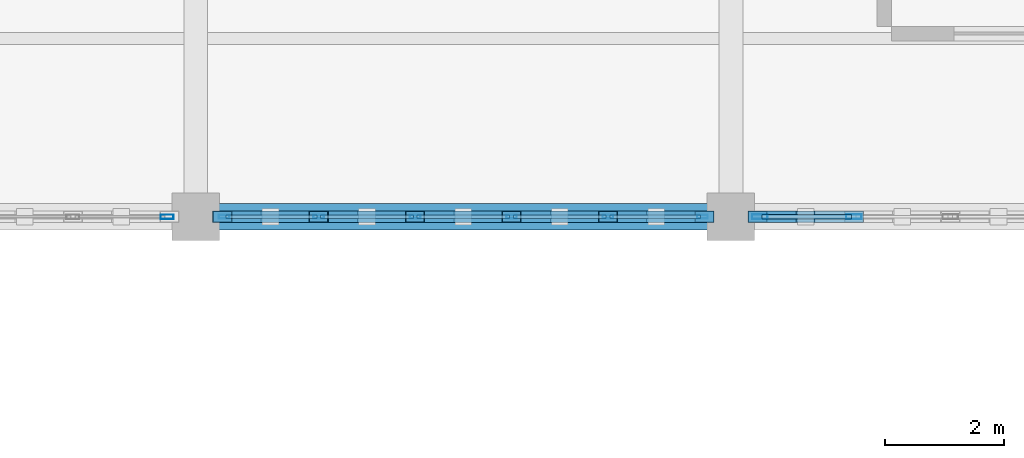
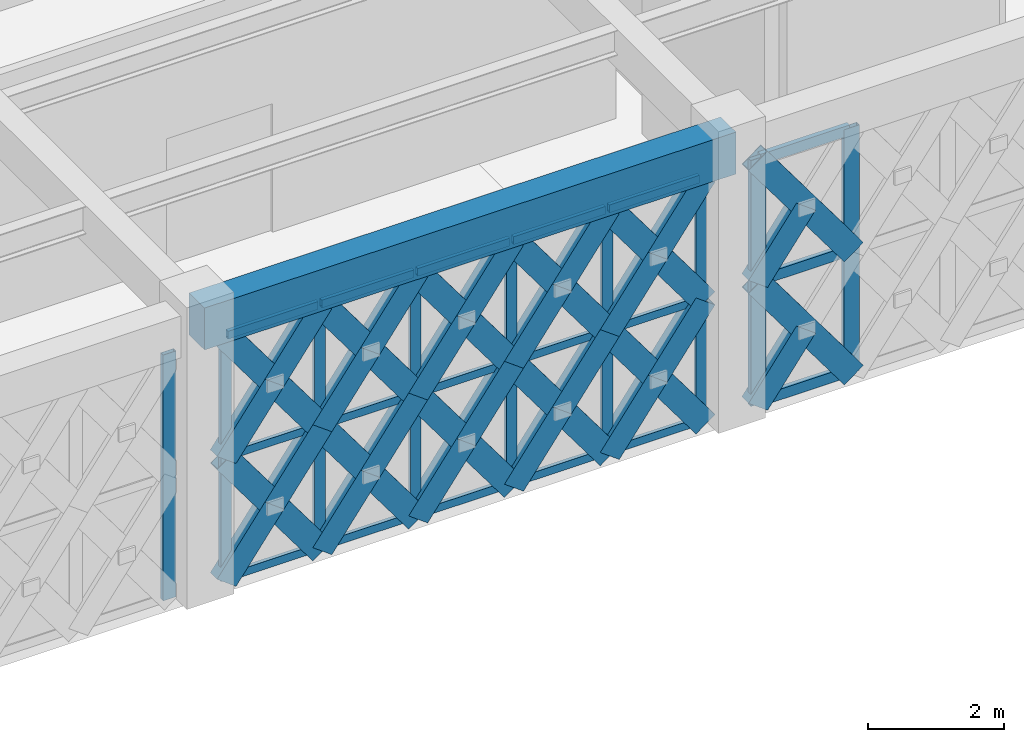
# One storey, part 35 of 86: 61 members, 1 beam, 3 elements without a shape of their own.
"""IFC4 building model written with IfcOpenShell, lengths in metres."""

from ifc_helpers import new_model, si_unit, direction, frame, origin, origin_2d, place, context, subcontext, project, spatial, rectangle, hollow_rectangle, extrude, material, material_profile, profile_set, type_object, element, aggregate, save


model = new_model("IFC4")

# Units and contexts
model_context = context("Model", 3, precision=1e-05, world=origin(), true_north=direction((0.0, 1.0)))
body_context = subcontext(model_context, "Body", "Model", "MODEL_VIEW")
ifc_project = project(units=[si_unit("LENGTHUNIT", "METRE"), si_unit("AREAUNIT", "SQUARE_METRE"), si_unit("VOLUMEUNIT", "CUBIC_METRE"), si_unit("PLANEANGLEUNIT", "RADIAN"), si_unit("MASSUNIT", "GRAM", prefix="KILO")], contexts=[model_context])

# Site, building, storey
site_placement = place(None, origin())
site = spatial("IfcSite", under=ifc_project, at=site_placement, CompositionType="ELEMENT")
building_placement = place(site_placement, origin())
building = spatial("IfcBuilding", under=site, at=building_placement, Name="Haizhuo Lancet Aquarium", CompositionType="ELEMENT")
storey_placement = place(building_placement, frame((0.0, 0.0, 16.199951171875)))
storey = spatial("IfcBuildingStorey", under=building, at=storey_placement, Name="L03", CompositionType="ELEMENT", Elevation=16.199951171875)

# Beam
ifc_material_1 = material(Name="Concrete C40/50", Category="concrete")
ifc_material_profile_1 = material_profile(ifc_material_1, rectangle(XDim=0.449951171875, YDim=0.75, at=origin_2d()), Name="RC-BM 450x750")
ifc_profile_set_1 = profile_set([ifc_material_profile_1], Name="Concrete C40/50")
beam_type = type_object("IfcBeamType", Name="BM-RC-450x750", PredefinedType="BEAM", material=ifc_profile_set_1)
beam_placement = place(storey_placement, frame((-18.0, 36.0, 4.775146484375), z_axis=(1.0, 0.0, 0.0), x_axis=(0.0, 1.0, 0.0)))
element("IfcBeam", 1, at=beam_placement, inside=storey, type_object=beam_type, Name="L03 V5 primary girder BM-L03-V5-004", PredefinedType="BEAM", context=body_context, shape_type="SweptSolid", body=[
    extrude(rectangle(XDim=0.449951171875, YDim=0.75, at=origin_2d()), origin(), (0.0, 0.0, 1.0), 9.0),
])

# Curtain wall, members
ifc_material_2 = material(Name="Aluminium 6063-T6", Category="aluminium")
curtain_wall_type = type_object("IfcCurtainWallType", Name="CWD-8110x4400", PredefinedType="NOTDEFINED", material=ifc_material_2)
curtain_wall_1_placement = place(storey_placement, origin())
curtain_wall_1 = element("IfcCurtainWall", 2, at=curtain_wall_1_placement, inside=storey, type_object=curtain_wall_type, Name="L03 curtain wall CW-V5-L03-172", PredefinedType="NOTDEFINED")
ifc_material_profile_2 = material_profile(ifc_material_2, hollow_rectangle(XDim=0.06494140625, YDim=0.179931640625, WallThickness=0.00390625, at=origin_2d()), Name="ALU-M 65x180x4")
ifc_profile_set_2 = profile_set([ifc_material_profile_2], Name="Aluminium 6063-T6")
member_type_1 = type_object("IfcMemberType", Name="CW-MUL-1", PredefinedType="MULLION", material=ifc_profile_set_2)
member_1_placement = place(storey_placement, frame((-9.47802734375, 36.0, 0.0), z_axis=(0.0, 0.0, 1.0), x_axis=(0.0, -1.0, 0.0)))
member_1 = element("IfcMember", 3, at=member_1_placement, type_object=member_type_1, Name="CWD-81x44 mullion 1", PredefinedType="MULLION", context=body_context, shape_type="SweptSolid", body=[
    extrude(hollow_rectangle(XDim=0.06494140625, YDim=0.179931640625, WallThickness=0.00390625, at=origin_2d()), origin(), (0.0, 0.0, 1.0), 4.400146484375),
])
member_2_placement = place(storey_placement, frame((-11.06689453125, 36.0, 0.0), z_axis=(0.0, 0.0, 1.0), x_axis=(0.0, -1.0, 0.0)))
member_2 = element("IfcMember", 4, at=member_2_placement, type_object=member_type_1, Name="CWD-81x44 mullion 2", PredefinedType="MULLION", context=body_context, shape_type="SweptSolid", body=[
    extrude(hollow_rectangle(XDim=0.06494140625, YDim=0.179931640625, WallThickness=0.00390625, at=origin_2d()), origin(), (0.0, 0.0, 1.0), 4.400146484375),
])
member_3_placement = place(storey_placement, frame((-12.68896484375, 36.0, 0.0), z_axis=(0.0, 0.0, 1.0), x_axis=(0.0, -1.0, 0.0)))
member_3 = element("IfcMember", 5, at=member_3_placement, type_object=member_type_1, Name="CWD-81x44 mullion 3", PredefinedType="MULLION", context=body_context, shape_type="SweptSolid", body=[
    extrude(hollow_rectangle(XDim=0.06494140625, YDim=0.179931640625, WallThickness=0.00390625, at=origin_2d()), origin(), (0.0, 0.0, 1.0), 4.400146484375),
])
member_4_placement = place(storey_placement, frame((-14.31103515625, 36.0, 0.0), z_axis=(0.0, 0.0, 1.0), x_axis=(0.0, -1.0, 0.0)))
member_4 = element("IfcMember", 6, at=member_4_placement, type_object=member_type_1, Name="CWD-81x44 mullion 4", PredefinedType="MULLION", context=body_context, shape_type="SweptSolid", body=[
    extrude(hollow_rectangle(XDim=0.06494140625, YDim=0.179931640625, WallThickness=0.00390625, at=origin_2d()), origin(), (0.0, 0.0, 1.0), 4.400146484375),
])
member_5_placement = place(storey_placement, frame((-15.93310546875, 36.0, 0.0), z_axis=(0.0, 0.0, 1.0), x_axis=(0.0, -1.0, 0.0)))
member_5 = element("IfcMember", 7, at=member_5_placement, type_object=member_type_1, Name="CWD-81x44 mullion 5", PredefinedType="MULLION", context=body_context, shape_type="SweptSolid", body=[
    extrude(hollow_rectangle(XDim=0.06494140625, YDim=0.179931640625, WallThickness=0.00390625, at=origin_2d()), origin(), (0.0, 0.0, 1.0), 4.400146484375),
])
member_6_placement = place(storey_placement, frame((-17.52294921875, 36.0, 0.0), z_axis=(0.0, 0.0, 1.0), x_axis=(0.0, -1.0, 0.0)))
member_6 = element("IfcMember", 8, at=member_6_placement, type_object=member_type_1, Name="CWD-81x44 mullion 6", PredefinedType="MULLION", context=body_context, shape_type="SweptSolid", body=[
    extrude(hollow_rectangle(XDim=0.06494140625, YDim=0.179931640625, WallThickness=0.00390625, at=origin_2d()), origin(), (0.0, 0.0, 1.0), 4.400146484375),
])

# Curtain wall, member
curtain_wall_2_placement = place(storey_placement, origin())
curtain_wall_2 = element("IfcCurtainWall", 9, at=curtain_wall_2_placement, inside=storey, type_object=curtain_wall_type, Name="L03 curtain wall CW-V5-L03-173", PredefinedType="NOTDEFINED")
ifc_material_profile_3 = material_profile(ifc_material_2, hollow_rectangle(XDim=0.074951171875, YDim=0.219970703125, WallThickness=0.0048828125, at=origin_2d()), Name="ALU-M 75x220x5")
ifc_profile_set_3 = profile_set([ifc_material_profile_3], Name="Aluminium 6063-T6")
member_type_2 = type_object("IfcMemberType", Name="CW-MUL-2", PredefinedType="MULLION", material=ifc_profile_set_3)
member_7_placement = place(storey_placement, frame((-18.48291015625, 36.0, 0.0), z_axis=(0.0, 0.0, 1.0), x_axis=(0.0, -1.0, 0.0)))
member_7 = element("IfcMember", 10, at=member_7_placement, type_object=member_type_2, Name="CWD-81x44 mullion 1", PredefinedType="MULLION", context=body_context, shape_type="SweptSolid", body=[
    extrude(hollow_rectangle(XDim=0.074951171875, YDim=0.219970703125, WallThickness=0.0048828125, at=origin_2d()), origin(), (0.0, 0.0, 1.0), 4.400146484375),
])
aggregate(curtain_wall_2, [member_7])

# Curtain wall, members
curtain_wall_3_placement = place(storey_placement, origin())
curtain_wall_3 = element("IfcCurtainWall", 11, at=curtain_wall_3_placement, inside=storey, type_object=curtain_wall_type, Name="L03 curtain wall CW-V5-L03-171", PredefinedType="NOTDEFINED")
ifc_material_profile_4 = material_profile(ifc_material_2, hollow_rectangle(XDim=0.080078125, YDim=0.260009765625, WallThickness=0.0048828125, at=origin_2d()), Name="ALU-M 80x260x5")
ifc_profile_set_4 = profile_set([ifc_material_profile_4], Name="Aluminium 6063-T6")
member_type_3 = type_object("IfcMemberType", Name="CW-MUL-3", PredefinedType="MULLION", material=ifc_profile_set_4)
member_8_placement = place(storey_placement, frame((-6.93310546875, 36.0, 0.0), z_axis=(0.0, 0.0, 1.0), x_axis=(0.0, -1.0, 0.0)))
member_8 = element("IfcMember", 12, at=member_8_placement, type_object=member_type_3, Name="CWD-81x44 mullion 5", PredefinedType="MULLION", context=body_context, shape_type="SweptSolid", body=[
    extrude(hollow_rectangle(XDim=0.080078125, YDim=0.260009765625, WallThickness=0.0048828125, at=origin_2d()), origin(), (0.0, 0.0, 1.0), 4.400146484375),
])
member_9_placement = place(storey_placement, frame((-8.514892578125, 36.0, 0.0), z_axis=(0.0, 0.0, 1.0), x_axis=(0.0, -1.0, 0.0)))
member_9 = element("IfcMember", 13, at=member_9_placement, type_object=member_type_3, Name="CWD-81x44 mullion 6", PredefinedType="MULLION", context=body_context, shape_type="SweptSolid", body=[
    extrude(hollow_rectangle(XDim=0.080078125, YDim=0.260009765625, WallThickness=0.0048828125, at=origin_2d()), origin(), (0.0, 0.0, 1.0), 4.400146484375),
])

# Member
ifc_material_profile_5 = material_profile(ifc_material_2, hollow_rectangle(XDim=0.06494140625, YDim=0.139892578125, WallThickness=0.00390625, at=origin_2d()), Name="ALU-T 65x140x4")
ifc_profile_set_5 = profile_set([ifc_material_profile_5], Name="Aluminium 6063-T6")
member_type_4 = type_object("IfcMemberType", Name="CW-TRN-1", PredefinedType="NOTDEFINED", material=ifc_profile_set_5)
member_10_placement = place(storey_placement, frame((-9.510009765625, 36.0, 0.031982421875), z_axis=(-1.0, 0.0, 0.0), x_axis=(0.0, -1.0, 0.0)))
member_10 = element("IfcMember", 14, at=member_10_placement, type_object=member_type_4, Name="CWD-81x44 transom 1.1", ObjectType="TRANSOM", PredefinedType="USERDEFINED", context=body_context, shape_type="SweptSolid", body=[
    extrude(hollow_rectangle(XDim=0.06494140625, YDim=0.139892578125, WallThickness=0.00390625, at=origin_2d()), origin(), (0.0, 0.0, 1.0), 1.52392578125),
])

member_11_placement = place(storey_placement, frame((-9.510009765625, 36.0, 2.199951171875), z_axis=(-1.0, 0.0, 0.0), x_axis=(0.0, -1.0, 0.0)))
member_11 = element("IfcMember", 15, at=member_11_placement, type_object=member_type_4, Name="CWD-81x44 transom 1.2", ObjectType="TRANSOM", PredefinedType="USERDEFINED", context=body_context, shape_type="SweptSolid", body=[
    extrude(hollow_rectangle(XDim=0.06494140625, YDim=0.139892578125, WallThickness=0.00390625, at=origin_2d()), origin(), (0.0, 0.0, 1.0), 1.52392578125),
])

member_12_placement = place(storey_placement, frame((-9.510009765625, 36.0, 4.3681640625), z_axis=(-1.0, 0.0, 0.0), x_axis=(0.0, -1.0, 0.0)))
member_12 = element("IfcMember", 16, at=member_12_placement, type_object=member_type_4, Name="CWD-81x44 transom 1.3", ObjectType="TRANSOM", PredefinedType="USERDEFINED", context=body_context, shape_type="SweptSolid", body=[
    extrude(hollow_rectangle(XDim=0.06494140625, YDim=0.139892578125, WallThickness=0.00390625, at=origin_2d()), origin(), (0.0, 0.0, 1.0), 1.52392578125),
])

member_13_placement = place(storey_placement, frame((-11.10009765625, 36.0, 0.031982421875), z_axis=(-1.0, 0.0, 0.0), x_axis=(0.0, -1.0, 0.0)))
member_13 = element("IfcMember", 17, at=member_13_placement, type_object=member_type_4, Name="CWD-81x44 transom 2.1", ObjectType="TRANSOM", PredefinedType="USERDEFINED", context=body_context, shape_type="SweptSolid", body=[
    extrude(hollow_rectangle(XDim=0.06494140625, YDim=0.139892578125, WallThickness=0.00390625, at=origin_2d()), origin(), (0.0, 0.0, 1.0), 1.555908203125),
])

member_14_placement = place(storey_placement, frame((-11.10009765625, 36.0, 2.199951171875), z_axis=(-1.0, 0.0, 0.0), x_axis=(0.0, -1.0, 0.0)))
member_14 = element("IfcMember", 18, at=member_14_placement, type_object=member_type_4, Name="CWD-81x44 transom 2.2", ObjectType="TRANSOM", PredefinedType="USERDEFINED", context=body_context, shape_type="SweptSolid", body=[
    extrude(hollow_rectangle(XDim=0.06494140625, YDim=0.139892578125, WallThickness=0.00390625, at=origin_2d()), origin(), (0.0, 0.0, 1.0), 1.555908203125),
])

member_15_placement = place(storey_placement, frame((-11.10009765625, 36.0, 4.3681640625), z_axis=(-1.0, 0.0, 0.0), x_axis=(0.0, -1.0, 0.0)))
member_15 = element("IfcMember", 19, at=member_15_placement, type_object=member_type_4, Name="CWD-81x44 transom 2.3", ObjectType="TRANSOM", PredefinedType="USERDEFINED", context=body_context, shape_type="SweptSolid", body=[
    extrude(hollow_rectangle(XDim=0.06494140625, YDim=0.139892578125, WallThickness=0.00390625, at=origin_2d()), origin(), (0.0, 0.0, 1.0), 1.555908203125),
])

member_16_placement = place(storey_placement, frame((-12.721923828125, 36.0, 0.031982421875), z_axis=(-1.0, 0.0, 0.0), x_axis=(0.0, -1.0, 0.0)))
member_16 = element("IfcMember", 20, at=member_16_placement, type_object=member_type_4, Name="CWD-81x44 transom 3.1", ObjectType="TRANSOM", PredefinedType="USERDEFINED", context=body_context, shape_type="SweptSolid", body=[
    extrude(hollow_rectangle(XDim=0.06494140625, YDim=0.139892578125, WallThickness=0.00390625, at=origin_2d()), origin(), (0.0, 0.0, 1.0), 1.55712890625),
])

member_17_placement = place(storey_placement, frame((-12.721923828125, 36.0, 2.199951171875), z_axis=(-1.0, 0.0, 0.0), x_axis=(0.0, -1.0, 0.0)))
member_17 = element("IfcMember", 21, at=member_17_placement, type_object=member_type_4, Name="CWD-81x44 transom 3.2", ObjectType="TRANSOM", PredefinedType="USERDEFINED", context=body_context, shape_type="SweptSolid", body=[
    extrude(hollow_rectangle(XDim=0.06494140625, YDim=0.139892578125, WallThickness=0.00390625, at=origin_2d()), origin(), (0.0, 0.0, 1.0), 1.55712890625),
])

member_18_placement = place(storey_placement, frame((-12.721923828125, 36.0, 4.3681640625), z_axis=(-1.0, 0.0, 0.0), x_axis=(0.0, -1.0, 0.0)))
member_18 = element("IfcMember", 22, at=member_18_placement, type_object=member_type_4, Name="CWD-81x44 transom 3.3", ObjectType="TRANSOM", PredefinedType="USERDEFINED", context=body_context, shape_type="SweptSolid", body=[
    extrude(hollow_rectangle(XDim=0.06494140625, YDim=0.139892578125, WallThickness=0.00390625, at=origin_2d()), origin(), (0.0, 0.0, 1.0), 1.55712890625),
])

member_19_placement = place(storey_placement, frame((-14.343017578125, 36.0, 0.031982421875), z_axis=(-1.0, 0.0, 0.0), x_axis=(0.0, -1.0, 0.0)))
member_19 = element("IfcMember", 23, at=member_19_placement, type_object=member_type_4, Name="CWD-81x44 transom 4.1", ObjectType="TRANSOM", PredefinedType="USERDEFINED", context=body_context, shape_type="SweptSolid", body=[
    extrude(hollow_rectangle(XDim=0.06494140625, YDim=0.139892578125, WallThickness=0.00390625, at=origin_2d()), origin(), (0.0, 0.0, 1.0), 1.557861328125),
])

member_20_placement = place(storey_placement, frame((-14.343017578125, 36.0, 2.199951171875), z_axis=(-1.0, 0.0, 0.0), x_axis=(0.0, -1.0, 0.0)))
member_20 = element("IfcMember", 24, at=member_20_placement, type_object=member_type_4, Name="CWD-81x44 transom 4.2", ObjectType="TRANSOM", PredefinedType="USERDEFINED", context=body_context, shape_type="SweptSolid", body=[
    extrude(hollow_rectangle(XDim=0.06494140625, YDim=0.139892578125, WallThickness=0.00390625, at=origin_2d()), origin(), (0.0, 0.0, 1.0), 1.557861328125),
])

member_21_placement = place(storey_placement, frame((-14.343017578125, 36.0, 4.3681640625), z_axis=(-1.0, 0.0, 0.0), x_axis=(0.0, -1.0, 0.0)))
member_21 = element("IfcMember", 25, at=member_21_placement, type_object=member_type_4, Name="CWD-81x44 transom 4.3", ObjectType="TRANSOM", PredefinedType="USERDEFINED", context=body_context, shape_type="SweptSolid", body=[
    extrude(hollow_rectangle(XDim=0.06494140625, YDim=0.139892578125, WallThickness=0.00390625, at=origin_2d()), origin(), (0.0, 0.0, 1.0), 1.557861328125),
])

member_22_placement = place(storey_placement, frame((-15.965087890625, 36.0, 0.031982421875), z_axis=(-1.0, 0.0, 0.0), x_axis=(0.0, -1.0, 0.0)))
member_22 = element("IfcMember", 26, at=member_22_placement, type_object=member_type_4, Name="CWD-81x44 transom 5.1", ObjectType="TRANSOM", PredefinedType="USERDEFINED", context=body_context, shape_type="SweptSolid", body=[
    extrude(hollow_rectangle(XDim=0.06494140625, YDim=0.139892578125, WallThickness=0.00390625, at=origin_2d()), origin(), (0.0, 0.0, 1.0), 1.52490234375),
])

member_23_placement = place(storey_placement, frame((-15.965087890625, 36.0, 2.199951171875), z_axis=(-1.0, 0.0, 0.0), x_axis=(0.0, -1.0, 0.0)))
member_23 = element("IfcMember", 27, at=member_23_placement, type_object=member_type_4, Name="CWD-81x44 transom 5.2", ObjectType="TRANSOM", PredefinedType="USERDEFINED", context=body_context, shape_type="SweptSolid", body=[
    extrude(hollow_rectangle(XDim=0.06494140625, YDim=0.139892578125, WallThickness=0.00390625, at=origin_2d()), origin(), (0.0, 0.0, 1.0), 1.52490234375),
])

member_24_placement = place(storey_placement, frame((-15.965087890625, 36.0, 4.3681640625), z_axis=(-1.0, 0.0, 0.0), x_axis=(0.0, -1.0, 0.0)))
member_24 = element("IfcMember", 28, at=member_24_placement, type_object=member_type_4, Name="CWD-81x44 transom 5.3", ObjectType="TRANSOM", PredefinedType="USERDEFINED", context=body_context, shape_type="SweptSolid", body=[
    extrude(hollow_rectangle(XDim=0.06494140625, YDim=0.139892578125, WallThickness=0.00390625, at=origin_2d()), origin(), (0.0, 0.0, 1.0), 1.52490234375),
])

aggregate(curtain_wall_1, [member_1, member_2, member_3, member_4, member_5, member_6, member_10, member_11, member_12, member_13, member_14, member_15, member_16, member_17, member_18, member_19, member_20, member_21, member_22, member_23, member_24])

ifc_material_profile_6 = material_profile(ifc_material_2, hollow_rectangle(XDim=0.080078125, YDim=0.18994140625, WallThickness=0.0048828125, at=origin_2d()), Name="ALU-T 80x190x5")
ifc_profile_set_6 = profile_set([ifc_material_profile_6], Name="Aluminium 6063-T6")
member_type_5 = type_object("IfcMemberType", Name="CW-TRN-3", PredefinedType="NOTDEFINED", material=ifc_profile_set_6)
member_25_placement = place(storey_placement, frame((-6.972900390625, 36.0, 0.0400390625), z_axis=(-1.0, 0.0, 0.0), x_axis=(0.0, -1.0, 0.0)))
member_25 = element("IfcMember", 29, at=member_25_placement, type_object=member_type_5, Name="CWD-81x44 transom 5.1", ObjectType="TRANSOM", PredefinedType="USERDEFINED", context=body_context, shape_type="SweptSolid", body=[
    extrude(hollow_rectangle(XDim=0.080078125, YDim=0.18994140625, WallThickness=0.0048828125, at=origin_2d()), origin(), (0.0, 0.0, 1.0), 1.502197265625),
])

member_26_placement = place(storey_placement, frame((-6.972900390625, 36.0, 2.199951171875), z_axis=(-1.0, 0.0, 0.0), x_axis=(0.0, -1.0, 0.0)))
member_26 = element("IfcMember", 30, at=member_26_placement, type_object=member_type_5, Name="CWD-81x44 transom 5.2", ObjectType="TRANSOM", PredefinedType="USERDEFINED", context=body_context, shape_type="SweptSolid", body=[
    extrude(hollow_rectangle(XDim=0.080078125, YDim=0.18994140625, WallThickness=0.0048828125, at=origin_2d()), origin(), (0.0, 0.0, 1.0), 1.502197265625),
])

member_27_placement = place(storey_placement, frame((-6.972900390625, 36.0, 4.360107421875), z_axis=(-1.0, 0.0, 0.0), x_axis=(0.0, -1.0, 0.0)))
member_27 = element("IfcMember", 31, at=member_27_placement, type_object=member_type_5, Name="CWD-81x44 transom 5.3", ObjectType="TRANSOM", PredefinedType="USERDEFINED", context=body_context, shape_type="SweptSolid", body=[
    extrude(hollow_rectangle(XDim=0.080078125, YDim=0.18994140625, WallThickness=0.0048828125, at=origin_2d()), origin(), (0.0, 0.0, 1.0), 1.502197265625),
])

aggregate(curtain_wall_3, [member_8, member_9, member_25, member_26, member_27])

# Members
ifc_material_3 = material(Name="Steel S355", Category="steel")
ifc_material_profile_7 = material_profile(ifc_material_3, hollow_rectangle(XDim=0.199951171875, YDim=0.39990234375, WallThickness=0.011962890625, at=origin_2d()), Name="RHS 200x400x12")
ifc_profile_set_7 = profile_set([ifc_material_profile_7], Name="Steel S355")
member_type_6 = type_object("IfcMemberType", Name="MEM-LB-RHS200x400", PredefinedType="BRACE", material=ifc_profile_set_7)
member_28_placement = place(storey_placement, frame((-6.93310546875, 36.0, 0.0), z_axis=(-0.593390983354, 0.0, 0.804914368659), x_axis=(0.0, -1.0, 0.0)))
element("IfcMember", 32, at=member_28_placement, inside=storey, type_object=member_type_6, Name="Gothic lancet continuous diagonal brace CW-V5-L03-171 9A", PredefinedType="BRACE", context=body_context, shape_type="SweptSolid", body=[
    extrude(hollow_rectangle(XDim=0.199951171875, YDim=0.39990234375, WallThickness=0.011962890625, at=origin_2d()), origin(), (0.0, 0.0, 1.0), 2.733154296875),
])
member_29_placement = place(storey_placement, frame((-8.554931640625, 36.0, 0.0), z_axis=(0.593406189792, 0.0, 0.804903158098), x_axis=(0.0, 1.0, 0.0)))
element("IfcMember", 33, at=member_29_placement, inside=storey, type_object=member_type_6, Name="Gothic lancet split diagonal brace CW-V5-L03-171 9B1", PredefinedType="BRACE", context=body_context, shape_type="SweptSolid", body=[
    extrude(hollow_rectangle(XDim=0.199951171875, YDim=0.39990234375, WallThickness=0.011962890625, at=origin_2d()), origin(), (0.0, 0.0, 1.0), 1.36669921875),
])
member_30_placement = place(storey_placement, frame((-6.93310546875, 36.0, 2.199951171875), z_axis=(-0.593348321024, 0.0, 0.804945818014), x_axis=(0.0, -1.0, 0.0)))
element("IfcMember", 34, at=member_30_placement, inside=storey, type_object=member_type_6, Name="Gothic lancet continuous diagonal brace CW-V5-L03-171 10A", PredefinedType="BRACE", context=body_context, shape_type="SweptSolid", body=[
    extrude(hollow_rectangle(XDim=0.199951171875, YDim=0.39990234375, WallThickness=0.011962890625, at=origin_2d()), origin(), (0.0, 0.0, 1.0), 2.7333984375),
])
member_31_placement = place(storey_placement, frame((-8.554931640625, 36.0, 2.199951171875), z_axis=(0.593406189792, 0.0, 0.804903158098), x_axis=(0.0, 1.0, 0.0)))
element("IfcMember", 35, at=member_31_placement, inside=storey, type_object=member_type_6, Name="Gothic lancet split diagonal brace CW-V5-L03-171 10B1", PredefinedType="BRACE", context=body_context, shape_type="SweptSolid", body=[
    extrude(hollow_rectangle(XDim=0.199951171875, YDim=0.39990234375, WallThickness=0.011962890625, at=origin_2d()), origin(), (0.0, 0.0, 1.0), 1.36669921875),
])
member_32_placement = place(storey_placement, frame((-9.445068359375, 36.0, 0.0), z_axis=(-0.593390983354, 0.0, 0.804914368659), x_axis=(0.0, -1.0, 0.0)))
element("IfcMember", 36, at=member_32_placement, inside=storey, type_object=member_type_6, Name="Gothic lancet continuous diagonal brace CW-V5-L03-172 1A", PredefinedType="BRACE", context=body_context, shape_type="SweptSolid", body=[
    extrude(hollow_rectangle(XDim=0.199951171875, YDim=0.39990234375, WallThickness=0.011962890625, at=origin_2d()), origin(), (0.0, 0.0, 1.0), 2.733154296875),
])
member_33_placement = place(storey_placement, frame((-11.06689453125, 36.0, 0.0), z_axis=(0.593290443054, 0.0, 0.80498847829), x_axis=(0.0, 1.0, 0.0)))
element("IfcMember", 37, at=member_33_placement, inside=storey, type_object=member_type_6, Name="Gothic lancet split diagonal brace CW-V5-L03-172 1B1", PredefinedType="BRACE", context=body_context, shape_type="SweptSolid", body=[
    extrude(hollow_rectangle(XDim=0.199951171875, YDim=0.39990234375, WallThickness=0.011962890625, at=origin_2d()), origin(), (0.0, 0.0, 1.0), 1.36669921875),
])
member_34_placement = place(storey_placement, frame((-10.256103515625, 36.0, 1.10009765625), z_axis=(0.593491518195, 0.0, 0.80484024367), x_axis=(0.0, 1.0, 0.0)))
element("IfcMember", 38, at=member_34_placement, inside=storey, type_object=member_type_6, Name="Gothic lancet split diagonal brace CW-V5-L03-172 1B2", PredefinedType="BRACE", context=body_context, shape_type="SweptSolid", body=[
    extrude(hollow_rectangle(XDim=0.199951171875, YDim=0.39990234375, WallThickness=0.011962890625, at=origin_2d()), origin(), (0.0, 0.0, 1.0), 1.366455078125),
])
member_35_placement = place(storey_placement, frame((-9.445068359375, 36.0, 2.199951171875), z_axis=(-0.593348321024, 0.0, 0.804945818014), x_axis=(0.0, -1.0, 0.0)))
element("IfcMember", 39, at=member_35_placement, inside=storey, type_object=member_type_6, Name="Gothic lancet continuous diagonal brace CW-V5-L03-172 2A", PredefinedType="BRACE", context=body_context, shape_type="SweptSolid", body=[
    extrude(hollow_rectangle(XDim=0.199951171875, YDim=0.39990234375, WallThickness=0.011962890625, at=origin_2d()), origin(), (0.0, 0.0, 1.0), 2.7333984375),
])
for number, where, z_axis, x_axis, name in (
    (40, (-11.06689453125, 36.0, 2.199951171875), (0.593290443054, 0.0, 0.80498847829), (0.0, 1.0, 0.0), "Gothic lancet split diagonal brace CW-V5-L03-172 2B1"),
    (41, (-10.256103515625, 36.0, 3.300048828125), (0.593406189792, 0.0, 0.804903158098), (0.0, 1.0, 0.0), "Gothic lancet split diagonal brace CW-V5-L03-172 2B2"),
):
    element("IfcMember", number, at=place(storey_placement, frame(where, z_axis=z_axis, x_axis=x_axis)), inside=storey, type_object=member_type_6, Name=name, PredefinedType="BRACE", context=body_context, shape_type="SweptSolid", body=[
        extrude(hollow_rectangle(XDim=0.199951171875, YDim=0.39990234375, WallThickness=0.011962890625, at=origin_2d()), origin(), (0.0, 0.0, 1.0), 1.36669921875),
    ])
member_36_placement = place(storey_placement, frame((-11.06689453125, 36.0, 0.0), z_axis=(-0.59344885176, 0.0, 0.804871704276), x_axis=(0.0, -1.0, 0.0)))
element("IfcMember", 42, at=member_36_placement, inside=storey, type_object=member_type_6, Name="Gothic lancet continuous diagonal brace CW-V5-L03-172 3A", PredefinedType="BRACE", context=body_context, shape_type="SweptSolid", body=[
    extrude(hollow_rectangle(XDim=0.199951171875, YDim=0.39990234375, WallThickness=0.011962890625, at=origin_2d()), origin(), (0.0, 0.0, 1.0), 2.7333984375),
])
member_37_placement = place(storey_placement, frame((-12.68896484375, 36.0, 0.0), z_axis=(0.593406189792, 0.0, 0.804903158098), x_axis=(0.0, 1.0, 0.0)))
element("IfcMember", 43, at=member_37_placement, inside=storey, type_object=member_type_6, Name="Gothic lancet split diagonal brace CW-V5-L03-172 3B1", PredefinedType="BRACE", context=body_context, shape_type="SweptSolid", body=[
    extrude(hollow_rectangle(XDim=0.199951171875, YDim=0.39990234375, WallThickness=0.011962890625, at=origin_2d()), origin(), (0.0, 0.0, 1.0), 1.36669921875),
])
member_38_placement = place(storey_placement, frame((-11.8779296875, 36.0, 1.10009765625), z_axis=(0.593491518195, 0.0, 0.80484024367), x_axis=(0.0, 1.0, 0.0)))
element("IfcMember", 44, at=member_38_placement, inside=storey, type_object=member_type_6, Name="Gothic lancet split diagonal brace CW-V5-L03-172 3B2", PredefinedType="BRACE", context=body_context, shape_type="SweptSolid", body=[
    extrude(hollow_rectangle(XDim=0.199951171875, YDim=0.39990234375, WallThickness=0.011962890625, at=origin_2d()), origin(), (0.0, 0.0, 1.0), 1.366455078125),
])
member_39_placement = place(storey_placement, frame((-11.06689453125, 36.0, 2.199951171875), z_axis=(-0.593406189792, 0.0, 0.804903158098), x_axis=(0.0, -1.0, 0.0)))
element("IfcMember", 45, at=member_39_placement, inside=storey, type_object=member_type_6, Name="Gothic lancet continuous diagonal brace CW-V5-L03-172 4A", PredefinedType="BRACE", context=body_context, shape_type="SweptSolid", body=[
    extrude(hollow_rectangle(XDim=0.199951171875, YDim=0.39990234375, WallThickness=0.011962890625, at=origin_2d()), origin(), (0.0, 0.0, 1.0), 2.7333984375),
])
for number, where, z_axis, x_axis, name in (
    (46, (-12.68896484375, 36.0, 2.199951171875), (0.593406189792, 0.0, 0.804903158098), (0.0, 1.0, 0.0), "Gothic lancet split diagonal brace CW-V5-L03-172 4B1"),
    (47, (-11.8779296875, 36.0, 3.300048828125), (0.593406189792, 0.0, 0.804903158098), (0.0, 1.0, 0.0), "Gothic lancet split diagonal brace CW-V5-L03-172 4B2"),
):
    element("IfcMember", number, at=place(storey_placement, frame(where, z_axis=z_axis, x_axis=x_axis)), inside=storey, type_object=member_type_6, Name=name, PredefinedType="BRACE", context=body_context, shape_type="SweptSolid", body=[
        extrude(hollow_rectangle(XDim=0.199951171875, YDim=0.39990234375, WallThickness=0.011962890625, at=origin_2d()), origin(), (0.0, 0.0, 1.0), 1.36669921875),
    ])
member_40_placement = place(storey_placement, frame((-12.68896484375, 36.0, 0.0), z_axis=(-0.59344885176, 0.0, 0.804871704276), x_axis=(0.0, -1.0, 0.0)))
element("IfcMember", 48, at=member_40_placement, inside=storey, type_object=member_type_6, Name="Gothic lancet continuous diagonal brace CW-V5-L03-172 5A", PredefinedType="BRACE", context=body_context, shape_type="SweptSolid", body=[
    extrude(hollow_rectangle(XDim=0.199951171875, YDim=0.39990234375, WallThickness=0.011962890625, at=origin_2d()), origin(), (0.0, 0.0, 1.0), 2.7333984375),
])
member_41_placement = place(storey_placement, frame((-14.31103515625, 36.0, 0.0), z_axis=(0.593406189792, 0.0, 0.804903158098), x_axis=(0.0, 1.0, 0.0)))
element("IfcMember", 49, at=member_41_placement, inside=storey, type_object=member_type_6, Name="Gothic lancet split diagonal brace CW-V5-L03-172 5B1", PredefinedType="BRACE", context=body_context, shape_type="SweptSolid", body=[
    extrude(hollow_rectangle(XDim=0.199951171875, YDim=0.39990234375, WallThickness=0.011962890625, at=origin_2d()), origin(), (0.0, 0.0, 1.0), 1.36669921875),
])
member_42_placement = place(storey_placement, frame((-13.5, 36.0, 1.10009765625), z_axis=(0.593491518195, 0.0, 0.80484024367), x_axis=(0.0, 1.0, 0.0)))
element("IfcMember", 50, at=member_42_placement, inside=storey, type_object=member_type_6, Name="Gothic lancet split diagonal brace CW-V5-L03-172 5B2", PredefinedType="BRACE", context=body_context, shape_type="SweptSolid", body=[
    extrude(hollow_rectangle(XDim=0.199951171875, YDim=0.39990234375, WallThickness=0.011962890625, at=origin_2d()), origin(), (0.0, 0.0, 1.0), 1.366455078125),
])
member_43_placement = place(storey_placement, frame((-12.68896484375, 36.0, 2.199951171875), z_axis=(-0.593406189792, 0.0, 0.804903158098), x_axis=(0.0, -1.0, 0.0)))
element("IfcMember", 51, at=member_43_placement, inside=storey, type_object=member_type_6, Name="Gothic lancet continuous diagonal brace CW-V5-L03-172 6A", PredefinedType="BRACE", context=body_context, shape_type="SweptSolid", body=[
    extrude(hollow_rectangle(XDim=0.199951171875, YDim=0.39990234375, WallThickness=0.011962890625, at=origin_2d()), origin(), (0.0, 0.0, 1.0), 2.7333984375),
])
for number, where, z_axis, x_axis, name in (
    (52, (-14.31103515625, 36.0, 2.199951171875), (0.593406189792, 0.0, 0.804903158098), (0.0, 1.0, 0.0), "Gothic lancet split diagonal brace CW-V5-L03-172 6B1"),
    (53, (-13.5, 36.0, 3.300048828125), (0.593406189792, 0.0, 0.804903158098), (0.0, 1.0, 0.0), "Gothic lancet split diagonal brace CW-V5-L03-172 6B2"),
):
    element("IfcMember", number, at=place(storey_placement, frame(where, z_axis=z_axis, x_axis=x_axis)), inside=storey, type_object=member_type_6, Name=name, PredefinedType="BRACE", context=body_context, shape_type="SweptSolid", body=[
        extrude(hollow_rectangle(XDim=0.199951171875, YDim=0.39990234375, WallThickness=0.011962890625, at=origin_2d()), origin(), (0.0, 0.0, 1.0), 1.36669921875),
    ])
member_44_placement = place(storey_placement, frame((-14.31103515625, 36.0, 0.0), z_axis=(-0.59344885176, 0.0, 0.804871704276), x_axis=(0.0, -1.0, 0.0)))
element("IfcMember", 54, at=member_44_placement, inside=storey, type_object=member_type_6, Name="Gothic lancet continuous diagonal brace CW-V5-L03-172 7A", PredefinedType="BRACE", context=body_context, shape_type="SweptSolid", body=[
    extrude(hollow_rectangle(XDim=0.199951171875, YDim=0.39990234375, WallThickness=0.011962890625, at=origin_2d()), origin(), (0.0, 0.0, 1.0), 2.7333984375),
])
member_45_placement = place(storey_placement, frame((-15.93310546875, 36.0, 0.0), z_axis=(0.593406189792, 0.0, 0.804903158098), x_axis=(0.0, 1.0, 0.0)))
element("IfcMember", 55, at=member_45_placement, inside=storey, type_object=member_type_6, Name="Gothic lancet split diagonal brace CW-V5-L03-172 7B1", PredefinedType="BRACE", context=body_context, shape_type="SweptSolid", body=[
    extrude(hollow_rectangle(XDim=0.199951171875, YDim=0.39990234375, WallThickness=0.011962890625, at=origin_2d()), origin(), (0.0, 0.0, 1.0), 1.36669921875),
])
member_46_placement = place(storey_placement, frame((-15.1220703125, 36.0, 1.10009765625), z_axis=(0.593491518195, 0.0, 0.80484024367), x_axis=(0.0, 1.0, 0.0)))
element("IfcMember", 56, at=member_46_placement, inside=storey, type_object=member_type_6, Name="Gothic lancet split diagonal brace CW-V5-L03-172 7B2", PredefinedType="BRACE", context=body_context, shape_type="SweptSolid", body=[
    extrude(hollow_rectangle(XDim=0.199951171875, YDim=0.39990234375, WallThickness=0.011962890625, at=origin_2d()), origin(), (0.0, 0.0, 1.0), 1.366455078125),
])
member_47_placement = place(storey_placement, frame((-14.31103515625, 36.0, 2.199951171875), z_axis=(-0.593406189792, 0.0, 0.804903158098), x_axis=(0.0, -1.0, 0.0)))
element("IfcMember", 57, at=member_47_placement, inside=storey, type_object=member_type_6, Name="Gothic lancet continuous diagonal brace CW-V5-L03-172 8A", PredefinedType="BRACE", context=body_context, shape_type="SweptSolid", body=[
    extrude(hollow_rectangle(XDim=0.199951171875, YDim=0.39990234375, WallThickness=0.011962890625, at=origin_2d()), origin(), (0.0, 0.0, 1.0), 2.7333984375),
])
for number, where, z_axis, x_axis, name in (
    (58, (-15.93310546875, 36.0, 2.199951171875), (0.593406189792, 0.0, 0.804903158098), (0.0, 1.0, 0.0), "Gothic lancet split diagonal brace CW-V5-L03-172 8B1"),
    (59, (-15.1220703125, 36.0, 3.300048828125), (0.593406189792, 0.0, 0.804903158098), (0.0, 1.0, 0.0), "Gothic lancet split diagonal brace CW-V5-L03-172 8B2"),
):
    element("IfcMember", number, at=place(storey_placement, frame(where, z_axis=z_axis, x_axis=x_axis)), inside=storey, type_object=member_type_6, Name=name, PredefinedType="BRACE", context=body_context, shape_type="SweptSolid", body=[
        extrude(hollow_rectangle(XDim=0.199951171875, YDim=0.39990234375, WallThickness=0.011962890625, at=origin_2d()), origin(), (0.0, 0.0, 1.0), 1.36669921875),
    ])
member_48_placement = place(storey_placement, frame((-15.93310546875, 36.0, 0.0), z_axis=(-0.593390983354, 0.0, 0.804914368659), x_axis=(0.0, -1.0, 0.0)))
element("IfcMember", 60, at=member_48_placement, inside=storey, type_object=member_type_6, Name="Gothic lancet continuous diagonal brace CW-V5-L03-172 9A", PredefinedType="BRACE", context=body_context, shape_type="SweptSolid", body=[
    extrude(hollow_rectangle(XDim=0.199951171875, YDim=0.39990234375, WallThickness=0.011962890625, at=origin_2d()), origin(), (0.0, 0.0, 1.0), 2.733154296875),
])
member_49_placement = place(storey_placement, frame((-17.554931640625, 36.0, 0.0), z_axis=(0.593406189792, 0.0, 0.804903158098), x_axis=(0.0, 1.0, 0.0)))
element("IfcMember", 61, at=member_49_placement, inside=storey, type_object=member_type_6, Name="Gothic lancet split diagonal brace CW-V5-L03-172 9B1", PredefinedType="BRACE", context=body_context, shape_type="SweptSolid", body=[
    extrude(hollow_rectangle(XDim=0.199951171875, YDim=0.39990234375, WallThickness=0.011962890625, at=origin_2d()), origin(), (0.0, 0.0, 1.0), 1.36669921875),
])
member_50_placement = place(storey_placement, frame((-16.743896484375, 36.0, 1.10009765625), z_axis=(0.593375772905, 0.0, 0.804925581734), x_axis=(0.0, 1.0, 0.0)))
element("IfcMember", 62, at=member_50_placement, inside=storey, type_object=member_type_6, Name="Gothic lancet split diagonal brace CW-V5-L03-172 9B2", PredefinedType="BRACE", context=body_context, shape_type="SweptSolid", body=[
    extrude(hollow_rectangle(XDim=0.199951171875, YDim=0.39990234375, WallThickness=0.011962890625, at=origin_2d()), origin(), (0.0, 0.0, 1.0), 1.366455078125),
])
member_51_placement = place(storey_placement, frame((-15.93310546875, 36.0, 2.199951171875), z_axis=(-0.593348321024, 0.0, 0.804945818014), x_axis=(0.0, -1.0, 0.0)))
element("IfcMember", 63, at=member_51_placement, inside=storey, type_object=member_type_6, Name="Gothic lancet continuous diagonal brace CW-V5-L03-172 10A", PredefinedType="BRACE", context=body_context, shape_type="SweptSolid", body=[
    extrude(hollow_rectangle(XDim=0.199951171875, YDim=0.39990234375, WallThickness=0.011962890625, at=origin_2d()), origin(), (0.0, 0.0, 1.0), 2.7333984375),
])
for number, where, z_axis, x_axis, name in (
    (64, (-17.554931640625, 36.0, 2.199951171875), (0.593406189792, 0.0, 0.804903158098), (0.0, 1.0, 0.0), "Gothic lancet split diagonal brace CW-V5-L03-172 10B1"),
    (65, (-16.743896484375, 36.0, 3.300048828125), (0.593290443054, 0.0, 0.80498847829), (0.0, 1.0, 0.0), "Gothic lancet split diagonal brace CW-V5-L03-172 10B2"),
):
    element("IfcMember", number, at=place(storey_placement, frame(where, z_axis=z_axis, x_axis=x_axis)), inside=storey, type_object=member_type_6, Name=name, PredefinedType="BRACE", context=body_context, shape_type="SweptSolid", body=[
        extrude(hollow_rectangle(XDim=0.199951171875, YDim=0.39990234375, WallThickness=0.011962890625, at=origin_2d()), origin(), (0.0, 0.0, 1.0), 1.36669921875),
    ])

save(model, "model.ifc")
